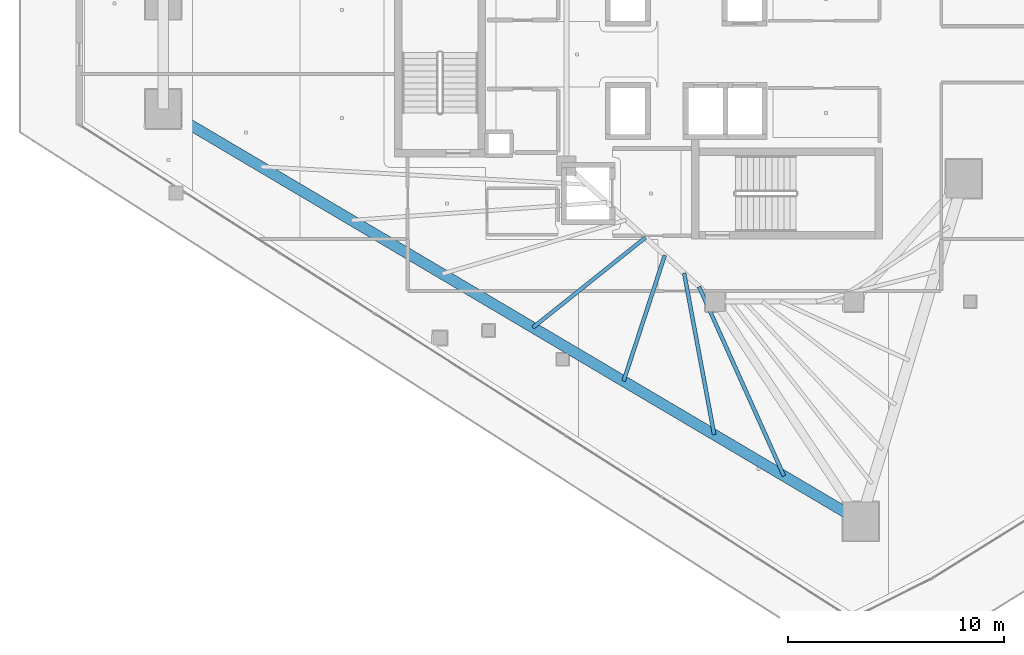
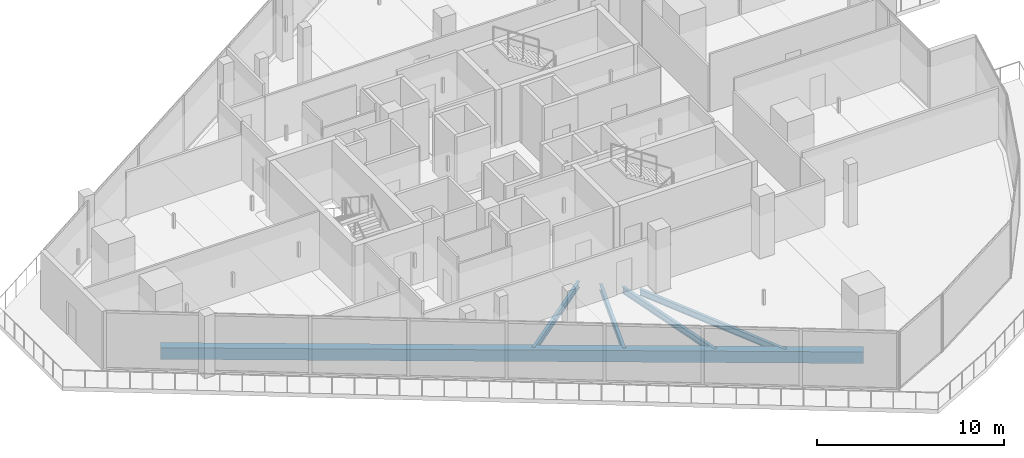
# One storey, part 5 of 33: 5 beams.
"""IFC4 building model written with IfcOpenShell, lengths in metres."""

from ifc_helpers import new_model, si_unit, direction, frame, origin, origin_2d, place, context, subcontext, project, spatial, rectangle, i_section, extrude, material, material_profile, profile_set, type_object, element, save


model = new_model("IFC4")

# Units and contexts
model_context = context("Model", 3, precision=1e-05, world=origin(), true_north=direction((0.0, 1.0)))
body_context = subcontext(model_context, "Body", "Model", "MODEL_VIEW")
ifc_project = project(units=[si_unit("LENGTHUNIT", "METRE"), si_unit("AREAUNIT", "SQUARE_METRE"), si_unit("VOLUMEUNIT", "CUBIC_METRE"), si_unit("PLANEANGLEUNIT", "RADIAN"), si_unit("MASSUNIT", "GRAM", prefix="KILO")], contexts=[model_context])

# Site, building, storey
site_placement = place(None, origin())
site = spatial("IfcSite", under=ifc_project, at=site_placement, CompositionType="ELEMENT")
building_placement = place(site_placement, origin())
building = spatial("IfcBuilding", under=site, at=building_placement, Name="Qorvath Tower", CompositionType="ELEMENT")
storey_placement = place(building_placement, frame((0.0, 0.0, 221.25)))
storey = spatial("IfcBuildingStorey", under=building, at=storey_placement, Name="L51", CompositionType="ELEMENT", Elevation=221.25)

# Beams
ifc_material_1 = material(Name="Steel ASTM A992 Grade 50", Category="steel")
ifc_material_profile_1 = material_profile(ifc_material_1, i_section(OverallWidth=0.177978515625, OverallDepth=0.406005859375, WebThickness=0.0078125, FlangeThickness=0.0126953125, FilletRadius=0.010986328125, at=origin_2d()), Name="W16x40")
ifc_profile_set_1 = profile_set([ifc_material_profile_1], Name="Steel ASTM A992 Grade 50")
beam_type_1 = type_object("IfcBeamType", Name="BM-FJ3", PredefinedType="JOIST", material=ifc_profile_set_1)
beam_1_placement = place(storey_placement, frame((-26.843017578125, -8.489013671875, -0.472900390625), z_axis=(-0.781336553339, -0.624109918537, 0.0), x_axis=(0.624109918537, -0.781336553339, 0.0)))
element("IfcBeam", 1, at=beam_1_placement, inside=storey, type_object=beam_type_1, Name="Composite Floor Joist SW4 L51", PredefinedType="JOIST", context=body_context, shape_type="SweptSolid", body=[
    extrude(i_section(OverallWidth=0.177978515625, OverallDepth=0.406005859375, WebThickness=0.0078125, FlangeThickness=0.0126953125, FilletRadius=0.010986328125, at=origin_2d()), origin(), (0.0, 0.0, 1.0), 6.667724609375),
])
beam_2_placement = place(storey_placement, frame((-25.946044921875, -9.30810546875, -0.472900390625), z_axis=(-0.311228747452, -0.950335028692, 0.0), x_axis=(0.950335028692, -0.311228747452, 0.0)))
element("IfcBeam", 2, at=beam_2_placement, inside=storey, type_object=beam_type_1, Name="Composite Floor Joist SW5 L51", PredefinedType="JOIST", context=body_context, shape_type="SweptSolid", body=[
    extrude(i_section(OverallWidth=0.177978515625, OverallDepth=0.406005859375, WebThickness=0.0078125, FlangeThickness=0.0126953125, FilletRadius=0.010986328125, at=origin_2d()), origin(), (0.0, 0.0, 1.0), 6.129638671875),
])
beam_3_placement = place(storey_placement, frame((-25.049072265625, -10.126953125, -0.472900390625), z_axis=(0.183026775988, -0.983107928598, 0.0), x_axis=(0.983107928598, 0.183026775988, 0.0)))
element("IfcBeam", 3, at=beam_3_placement, inside=storey, type_object=beam_type_1, Name="Composite Floor Joist SW6 L51", PredefinedType="JOIST", context=body_context, shape_type="SweptSolid", body=[
    extrude(i_section(OverallWidth=0.177978515625, OverallDepth=0.406005859375, WebThickness=0.0078125, FlangeThickness=0.0126953125, FilletRadius=0.010986328125, at=origin_2d()), origin(), (0.0, 0.0, 1.0), 7.617919921875),
])
beam_4_placement = place(storey_placement, frame((-24.35888671875, -10.757080078125, -0.472900390625), z_axis=(0.409327209141, -0.912387656568, 0.0), x_axis=(0.912387656568, 0.409327209141, 0.0)))
element("IfcBeam", 4, at=beam_4_placement, inside=storey, type_object=beam_type_1, Name="Composite Floor Joist SW7 L51", PredefinedType="JOIST", context=body_context, shape_type="SweptSolid", body=[
    extrude(i_section(OverallWidth=0.177978515625, OverallDepth=0.406005859375, WebThickness=0.0078125, FlangeThickness=0.0126953125, FilletRadius=0.010986328125, at=origin_2d()), origin(), (0.0, 0.0, 1.0), 9.611083984375),
])
ifc_material_2 = material(Name="Concrete C45/55", Category="concrete")
ifc_material_profile_2 = material_profile(ifc_material_2, rectangle(XDim=0.5, YDim=0.75, at=origin_2d()), Name="RCB 750x500")
ifc_profile_set_2 = profile_set([ifc_material_profile_2], Name="Concrete C45/55")
beam_type_2 = type_object("IfcBeamType", Name="BM-RCB3", PredefinedType="SPANDREL", material=ifc_profile_set_2)
beam_5_placement = place(storey_placement, frame((-49.171875, -2.52783203125, -0.64501953125), z_axis=(0.860776759786, -0.50898268125, 0.0), x_axis=(0.50898268125, 0.860776759786, 0.0)))
element("IfcBeam", 5, at=beam_5_placement, inside=storey, type_object=beam_type_2, Name="Perimeter Loggia Frame Beam MC2-MC3 L51", PredefinedType="SPANDREL", context=body_context, shape_type="SweptSolid", body=[
    extrude(rectangle(XDim=0.5, YDim=0.75, at=origin_2d()), origin(), (0.0, 0.0, 1.0), 37.524658203125),
])

save(model, "model.ifc")
